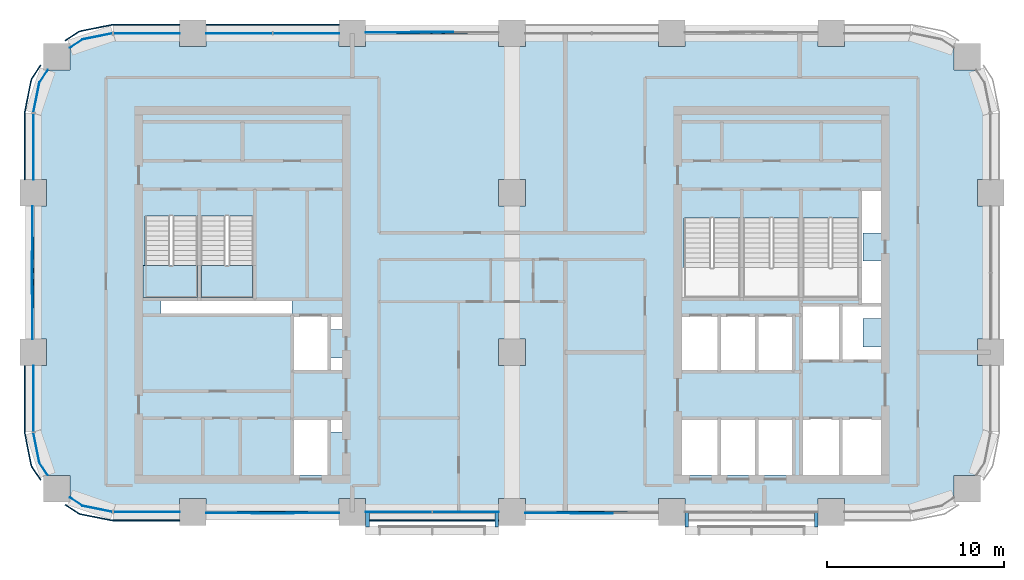
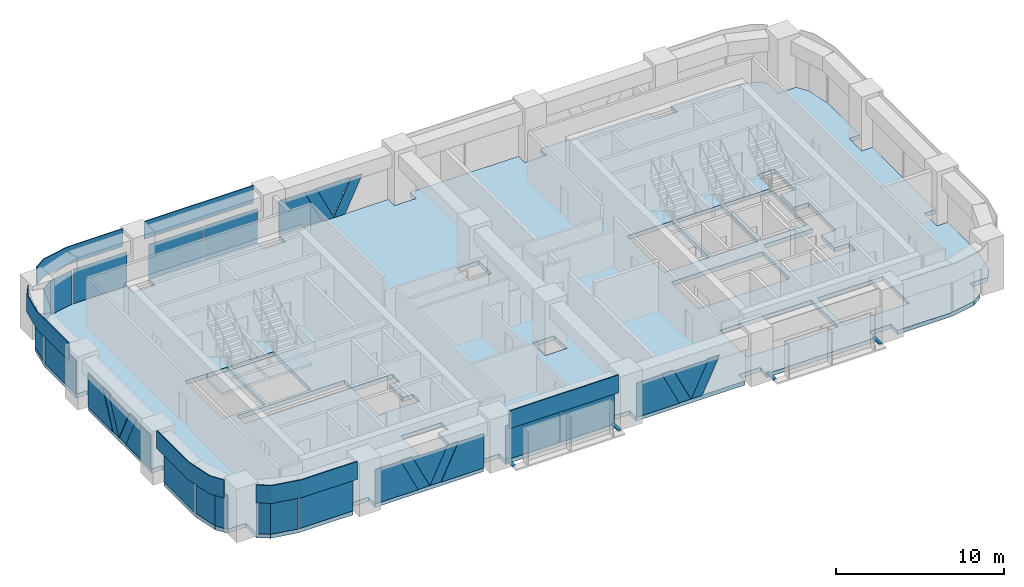
# One storey, part 6 of 13: 32 plates, 4 beams, 3 slabs, 12 elements without a shape of their own.
"""IFC4 building model written with IfcOpenShell, lengths in metres."""

import ifcopenshell
import ifcopenshell.guid

model = None  # the IFC model being written
_history = None  # IfcOwnerHistory: only IFC2X3 demands one
_inside = {}  # id of a spatial element -> (the spatial element, [elements in it])
_under = {}  # id of a project, library or spatial element -> (it, [spatial elements below it])
_declared = {}  # id of a project -> (the project, [libraries it declares])
_typed = {}  # id of a type object -> (the type object, [elements of that type])
_made_of = {}  # id of a material, layer set ... -> (it, [elements and type objects made of it])


def new_model(schema):
    """Start an empty IFC model of exactly this schema.

    Asked for "IFC4X3", IfcOpenShell would pick the latest addendum, in which some entities
    have other attributes; the version numbers below select the first issue.
    IFC2X3 requires an IfcOwnerHistory on every rooted entity: one is made here for all.
    """
    global model, _history
    if schema == "IFC4X3":
        model = ifcopenshell.file(schema_version=(4, 3, 0, 0))
    else:
        model = ifcopenshell.file(schema=schema)
    _inside.clear()
    _under.clear()
    _declared.clear()
    _typed.clear()
    _made_of.clear()
    _history = None
    if model.schema == "IFC2X3":
        org = make("IfcOrganization", Name="unknown")
        user = make(
            "IfcPersonAndOrganization",
            ThePerson=make("IfcPerson", FamilyName="unknown"),
            TheOrganization=org,
        )
        app = make(
            "IfcApplication",
            ApplicationDeveloper=org,
            Version="unknown",
            ApplicationFullName="unknown",
            ApplicationIdentifier="unknown",
        )
        _history = make(
            "IfcOwnerHistory",
            OwningUser=user,
            OwningApplication=app,
            ChangeAction="ADDED",
            CreationDate=0,
        )
    return model


def make(cls, **values):
    """One entity of the class cls with the attributes given. An attribute that is None is left unset."""
    return model.create_entity(
        cls, **{name: value for name, value in values.items() if value is not None}
    )


def rooted(cls, **values):
    """An entity with a GlobalId (a new one), such as an element, a storey or a relation."""
    return make(cls, GlobalId=ifcopenshell.guid.new(), OwnerHistory=_history, **values)


def si_unit(unit_type, name, prefix=None):
    """IfcSIUnit, for example si_unit("LENGTHUNIT", "METRE", prefix="MILLI")."""
    return make("IfcSIUnit", UnitType=unit_type, Prefix=prefix, Name=name)


def assignment(units):
    """IfcUnitAssignment: the units of a project."""
    return None if units is None else make("IfcUnitAssignment", Units=units)


def point(xyz):
    """IfcCartesianPoint."""
    return None if xyz is None else make("IfcCartesianPoint", Coordinates=xyz)


def direction(xyz):
    """IfcDirection."""
    return None if xyz is None else make("IfcDirection", DirectionRatios=xyz)


def frame(location, z_axis=None, x_axis=None):
    """IfcAxis2Placement3D, a coordinate frame: its origin and axes. An axis left out is left unset."""
    return make(
        "IfcAxis2Placement3D",
        Location=point(location),
        Axis=direction(z_axis),
        RefDirection=direction(x_axis),
    )


def frame_2d(location, x_axis=None):
    """IfcAxis2Placement2D, a coordinate frame in the plane: its origin and x axis."""
    return make(
        "IfcAxis2Placement2D", Location=point(location), RefDirection=direction(x_axis)
    )


def origin():
    """The frame at (0, 0, 0) with its axes left unset."""
    return frame((0.0, 0.0, 0.0))


def origin_2d():
    """The frame at (0, 0) in the plane with its x axis left unset."""
    return frame_2d((0.0, 0.0))


def place(relative_to, where):
    """IfcLocalPlacement: puts the frame where relative to a parent placement (None: the world)."""
    return make(
        "IfcLocalPlacement", PlacementRelTo=relative_to, RelativePlacement=where
    )


def context(
    kind, dimensions, precision=None, world=None, true_north=None, identifier=None
):
    """IfcGeometricRepresentationContext, for example the 3D "Model" context."""
    return make(
        "IfcGeometricRepresentationContext",
        ContextIdentifier=identifier,
        ContextType=kind,
        CoordinateSpaceDimension=dimensions,
        Precision=precision,
        WorldCoordinateSystem=world,
        TrueNorth=true_north,
    )


def subcontext(parent, identifier, kind, view, scale=None):
    """IfcGeometricRepresentationSubContext, for example "Body" below "Model"."""
    return make(
        "IfcGeometricRepresentationSubContext",
        ContextIdentifier=identifier,
        ContextType=kind,
        ParentContext=parent,
        TargetScale=scale,
        TargetView=view,
    )


def project(units=None, contexts=None):
    """IfcProject with its units and contexts."""
    return rooted(
        "IfcProject",
        Name="project",
        RepresentationContexts=contexts,
        UnitsInContext=assignment(units),
    )


def spatial(cls, under=None, at=None, **own):
    """A site, building, storey or space (cls), placed at a placement, below another one or the project."""
    s = rooted(cls, ObjectPlacement=at, **own)
    if under is not None:
        _under.setdefault(under.id(), (under, []))[1].append(s)
    return s


def polyline(points):
    """IfcPolyline through the points."""
    return make("IfcPolyline", Points=[point(p) for p in points])


def profile(cls, at=None, kind="AREA", **sizes):
    """A parametric profile (cls). Its sizes go by their IFC names, for example OverallWidth=200.0."""
    return make(cls, ProfileType=kind, Position=at, **sizes)


def rectangle(**sizes):
    """IfcRectangleProfileDef."""
    return profile("IfcRectangleProfileDef", **sizes)


def outline(outer, holes=None, kind="AREA"):
    """IfcArbitraryClosedProfileDef: a profile drawn as a closed curve; with holes, ...WithVoids."""
    if holes is None:
        return make("IfcArbitraryClosedProfileDef", ProfileType=kind, OuterCurve=outer)
    return make(
        "IfcArbitraryProfileDefWithVoids",
        ProfileType=kind,
        OuterCurve=outer,
        InnerCurves=holes,
    )


def extrude(swept, where, along, depth):
    """IfcExtrudedAreaSolid: the profile swept, set in the frame where, extruded along a direction by depth."""
    return make(
        "IfcExtrudedAreaSolid",
        SweptArea=swept,
        Position=where,
        ExtrudedDirection=direction(along),
        Depth=depth,
    )


def shape(context_of_items, identifier, shape_type, items):
    """IfcShapeRepresentation: the items that make up one representation, for example the "Body"."""
    return make(
        "IfcShapeRepresentation",
        ContextOfItems=context_of_items,
        RepresentationIdentifier=identifier,
        RepresentationType=shape_type,
        Items=items,
    )


def material(Name=None, Category=None):
    """IfcMaterial."""
    return make("IfcMaterial", Name=Name, Category=Category)


def layer(
    of_material, thickness, ventilated=None, Name=None, Category=None, Priority=None
):
    """IfcMaterialLayer: one layer of a wall or slab, of a material (None: an air gap)."""
    return make(
        "IfcMaterialLayer",
        Material=of_material,
        LayerThickness=thickness,
        IsVentilated=ventilated,
        Name=Name,
        Category=Category,
        Priority=Priority,
    )


def layer_set(layers, Name=None):
    """IfcMaterialLayerSet."""
    return make("IfcMaterialLayerSet", MaterialLayers=layers, LayerSetName=Name)


def material_profile(
    of_material, cross_section, Name=None, Category=None, Priority=None
):
    """IfcMaterialProfile: a cross section and its material."""
    return make(
        "IfcMaterialProfile",
        Name=Name,
        Material=of_material,
        Profile=cross_section,
        Priority=Priority,
        Category=Category,
    )


def profile_set(profiles, Name=None, composite=None):
    """IfcMaterialProfileSet."""
    return make(
        "IfcMaterialProfileSet",
        Name=Name,
        MaterialProfiles=profiles,
        CompositeProfile=composite,
    )


def made_of(thing, what):
    """Note that an element or type object is made of a material, layer set ...; save() writes the relation."""
    if what is not None:
        _made_of.setdefault(what.id(), (what, []))[1].append(thing)
    return thing


def type_object(cls, material=None, **own):
    """A type object (cls), such as IfcWallType, which elements share."""
    return made_of(rooted(cls, **own), material)


def element(
    cls,
    number,
    at=None,
    inside=None,
    cuts=None,
    type_object=None,
    material=None,
    context=None,
    identifier="Body",
    shape_type=None,
    held_by="IfcProductDefinitionShape",
    body=None,
    shapes=None,
    **own,
):
    """One element of the class cls, such as IfcWall. Its Tag is "e" and its number.

    at: its placement. inside: the storey or other place that contains it. cuts: it is an
    opening in that element (IfcRelVoidsElement). A single representation is given by context,
    identifier, shape_type and body (its items); several are given by shapes. held_by: the class
    of the entity that holds the representations. save() writes the other relations.
    """
    e = rooted(cls, Tag="e%d" % number, ObjectPlacement=at, **own)
    if body is not None:
        shapes = [shape(context, identifier, shape_type, body)]
    if shapes is not None:
        e.Representation = make(held_by, Representations=shapes)
    if inside is not None:
        _inside.setdefault(inside.id(), (inside, []))[1].append(e)
    if cuts is not None:
        rooted(
            "IfcRelVoidsElement", RelatingBuildingElement=cuts, RelatedOpeningElement=e
        )
    if type_object is not None:
        _typed.setdefault(type_object.id(), (type_object, []))[1].append(e)
    return made_of(e, material)


def aggregate(whole, parts):
    """IfcRelAggregates: a whole, such as a stair, and the parts it consists of."""
    return rooted("IfcRelAggregates", RelatingObject=whole, RelatedObjects=parts)


def save(model, path):
    """Write the relations noted so far, then the file.

    IfcRelAggregates (storeys below a building ...), IfcRelContainedInSpatialStructure (elements
    in a storey), IfcRelDefinesByType, IfcRelAssociatesMaterial and IfcRelDeclares: one each for
    every whole, place, type object, material and project.
    """
    for whole, parts in _under.values():
        aggregate(whole, parts)
    for where, things in _inside.values():
        rooted(
            "IfcRelContainedInSpatialStructure",
            RelatedElements=things,
            RelatingStructure=where,
        )
    for kind, things in _typed.values():
        rooted("IfcRelDefinesByType", RelatedObjects=things, RelatingType=kind)
    for what, things in _made_of.values():
        rooted("IfcRelAssociatesMaterial", RelatedObjects=things, RelatingMaterial=what)
    for by, libraries in _declared.values():
        rooted("IfcRelDeclares", RelatingContext=by, RelatedDefinitions=libraries)
    model.write(path)


model = new_model("IFC4")

# Units and contexts
model_context = context("Model", 3, precision=1e-05, world=origin(), true_north=direction((0.0, 1.0)))
body_context = subcontext(model_context, "Body", "Model", "MODEL_VIEW")
ifc_project = project(units=[si_unit("LENGTHUNIT", "METRE"), si_unit("AREAUNIT", "SQUARE_METRE"), si_unit("VOLUMEUNIT", "CUBIC_METRE"), si_unit("PLANEANGLEUNIT", "RADIAN"), si_unit("MASSUNIT", "GRAM", prefix="KILO")], contexts=[model_context])

# Site, building, storey
site_placement = place(None, origin())
site = spatial("IfcSite", under=ifc_project, at=site_placement, CompositionType="ELEMENT")
building_placement = place(site_placement, origin())
building = spatial("IfcBuilding", under=site, at=building_placement, Name="Tessera Arch", CompositionType="ELEMENT")
storey_placement = place(building_placement, frame((0.0, 0.0, 158.300048828125)))
storey = spatial("IfcBuildingStorey", under=building, at=storey_placement, Name="L37", CompositionType="ELEMENT", Elevation=158.300048828125)

# Beams
ifc_material_1 = material(Name="Aluminium alloy 6063-T6", Category="aluminium")
ifc_material_profile = material_profile(ifc_material_1, rectangle(XDim=0.199951171875, YDim=0.1201171875, at=origin_2d()), Name="AL 200x120")
ifc_profile_set = profile_set([ifc_material_profile], Name="Aluminium alloy 6063-T6")
beam_type = type_object("IfcBeamType", Name="Screen seat beam", PredefinedType="BEAM", material=ifc_profile_set)
for number, where, z_axis, x_axis, name in (
    (1, (18.84912109375, 27.0, 0.06005859375), (0.0, -1.0, 0.0), (1.0, 0.0, 0.0), "Screen seat beam"),
    (2, (26.15087890625, 27.0, 0.06005859375), (0.0, -1.0, 0.0), (1.0, 0.0, 0.0), "Screen seat beam"),
    (3, (36.84912109375, 27.0, 0.06005859375), (0.0, -1.0, 0.0), (1.0, 0.0, 0.0), "Screen seat beam"),
    (4, (44.15087890625, 27.0, 0.06005859375), (0.0, -1.0, 0.0), (1.0, 0.0, 0.0), "Screen seat beam"),
):
    element("IfcBeam", number, at=place(storey_placement, frame(where, z_axis=z_axis, x_axis=x_axis)), inside=storey, type_object=beam_type, Name=name, PredefinedType="BEAM", context=body_context, shape_type="SweptSolid", body=[
        extrude(rectangle(XDim=0.199951171875, YDim=0.1201171875, at=origin_2d()), origin(), (0.0, 0.0, 1.0), 0.85009765625),
    ])

# Curtain wall, plates
ifc_material_2 = material(Name="CW1 curtain wall")
curtain_wall_type_1 = type_object("IfcCurtainWallType", Name="CW1 curtain wall", PredefinedType="NOTDEFINED", material=ifc_material_2)
curtain_wall_1_placement = place(storey_placement, origin())
curtain_wall_1 = element("IfcCurtainWall", 5, at=curtain_wall_1_placement, inside=storey, type_object=curtain_wall_type_1, Name="CW1 curtain wall N54.0/4 L37", PredefinedType="NOTDEFINED")
ifc_material_3 = material(Name="Clear low-e glass", Category="glass")
ifc_material_4 = material(Name="Clear low-e glass", Category="glass")
ifc_layer_1 = layer(ifc_material_4, 0.028076171875)
ifc_layer_set_1 = layer_set([ifc_layer_1], Name="CW1 glass panel")
plate_type_1 = type_object("IfcPlateType", Name="CW1 glass panel", PredefinedType="CURTAIN_PANEL", material=ifc_layer_set_1)
plate_1_placement = place(storey_placement, frame((15.389892578125, 54.0, 0.0), z_axis=(0.0, 0.0, 1.0), x_axis=(-1.0, 0.0, 0.0)))
plate_1 = element("IfcPlate", 6, at=plate_1_placement, type_object=plate_type_1, material=ifc_material_3, Name="CW1 glass panel N54.0/4 1.1.1", PredefinedType="CURTAIN_PANEL", context=body_context, shape_type="SweptSolid", body=[
    extrude(rectangle(XDim=3.719970703125, YDim=0.028076171875, at=origin_2d()), origin(), (0.0, 0.0, 1.0), 2.5),
])
plate_2_placement = place(storey_placement, frame((11.610107421875, 54.0, 0.0), z_axis=(0.0, 0.0, 1.0), x_axis=(-1.0, 0.0, 0.0)))
plate_2 = element("IfcPlate", 7, at=plate_2_placement, type_object=plate_type_1, material=ifc_material_3, Name="CW1 glass panel N54.0/4 1.2.1", PredefinedType="CURTAIN_PANEL", context=body_context, shape_type="SweptSolid", body=[
    extrude(rectangle(XDim=3.719970703125, YDim=0.028076171875, at=origin_2d()), origin(), (0.0, 0.0, 1.0), 2.5),
])

curtain_wall_2_placement = place(storey_placement, origin())
curtain_wall_2 = element("IfcCurtainWall", 8, at=curtain_wall_2_placement, inside=storey, type_object=curtain_wall_type_1, Name="CW1 curtain wall S27.0/2 L37", PredefinedType="NOTDEFINED")
plate_3_placement = place(storey_placement, frame((20.610107421875, 27.0, 0.0), z_axis=(0.0, 0.0, 1.0), x_axis=(1.0, 0.0, 0.0)))
plate_3 = element("IfcPlate", 9, at=plate_3_placement, type_object=plate_type_1, material=ifc_material_3, Name="CW1 glass panel S27.0/2 1.1.1", PredefinedType="CURTAIN_PANEL", context=body_context, shape_type="SweptSolid", body=[
    extrude(rectangle(XDim=3.719970703125, YDim=0.028076171875, at=origin_2d()), origin(), (0.0, 0.0, 1.0), 2.5),
])
plate_4_placement = place(storey_placement, frame((24.389892578125, 27.0, 0.0), z_axis=(0.0, 0.0, 1.0), x_axis=(1.0, 0.0, 0.0)))
plate_4 = element("IfcPlate", 10, at=plate_4_placement, type_object=plate_type_1, material=ifc_material_3, Name="CW1 glass panel S27.0/2 1.2.1", PredefinedType="CURTAIN_PANEL", context=body_context, shape_type="SweptSolid", body=[
    extrude(rectangle(XDim=3.719970703125, YDim=0.028076171875, at=origin_2d()), origin(), (0.0, 0.0, 1.0), 2.5),
])

# Plate
ifc_material_5 = material(Name="Pale anodised aluminium panel", Category="aluminium")
ifc_layer_2 = layer(ifc_material_5, 0.06005859375)
ifc_layer_set_2 = layer_set([ifc_layer_2], Name="CW1 spandrel panel")
plate_type_2 = type_object("IfcPlateType", Name="CW1 spandrel panel", PredefinedType="CURTAIN_PANEL", material=ifc_layer_set_2)
plate_5_placement = place(storey_placement, frame((13.5, 54.47998046875, 2.60009765625), z_axis=(0.0, 0.0, 1.0), x_axis=(-1.0, 0.0, 0.0)))
plate_5 = element("IfcPlate", 11, at=plate_5_placement, type_object=plate_type_2, Name="CW1 spandrel panel N54.0/4", PredefinedType="CURTAIN_PANEL", context=body_context, shape_type="SweptSolid", body=[
    extrude(rectangle(XDim=7.5, YDim=0.06005859375, at=origin_2d()), origin(), (0.0, 0.0, 1.0), 1.300048828125),
])

aggregate(curtain_wall_1, [plate_1, plate_2, plate_5])

plate_6_placement = place(storey_placement, frame((22.5, 26.52001953125, 2.60009765625), z_axis=(0.0, 0.0, 1.0), x_axis=(1.0, 0.0, 0.0)))
plate_6 = element("IfcPlate", 12, at=plate_6_placement, type_object=plate_type_2, Name="CW1 spandrel panel S27.0/2", PredefinedType="CURTAIN_PANEL", context=body_context, shape_type="SweptSolid", body=[
    extrude(rectangle(XDim=7.5, YDim=0.06005859375, at=origin_2d()), origin(), (0.0, 0.0, 1.0), 1.300048828125),
])

aggregate(curtain_wall_2, [plate_3, plate_4, plate_6])

# Curtain wall, plates
ifc_material_6 = material(Name="CW2 curtain wall")
curtain_wall_type_2 = type_object("IfcCurtainWallType", Name="CW2 curtain wall", PredefinedType="NOTDEFINED", material=ifc_material_6)
curtain_wall_3_placement = place(storey_placement, origin())
curtain_wall_3 = element("IfcCurtainWall", 13, at=curtain_wall_3_placement, inside=storey, type_object=curtain_wall_type_2, Name="CW2 curtain wall N54.0/5 L37", PredefinedType="NOTDEFINED")
ifc_material_7 = material(Name="Clear low-e glass", Category="glass")
ifc_layer_3 = layer(ifc_material_7, 0.028076171875)
ifc_layer_set_3 = layer_set([ifc_layer_3], Name="CW2 glass panel")
plate_type_3 = type_object("IfcPlateType", Name="CW2 glass panel", PredefinedType="CURTAIN_PANEL", material=ifc_layer_set_3)
plate_7_placement = place(storey_placement, frame((6.39501953125, 54.0, 0.0), z_axis=(0.0, 0.0, 1.0), x_axis=(-1.0, 0.0, 0.0)))
plate_7 = element("IfcPlate", 14, at=plate_7_placement, type_object=plate_type_3, material=ifc_material_3, Name="CW2 glass panel N54.0/5 1.1", PredefinedType="CURTAIN_PANEL", context=body_context, shape_type="SweptSolid", body=[
    extrude(rectangle(XDim=3.7099609375, YDim=0.028076171875, at=origin_2d()), origin(), (0.0, 0.0, 1.0), 2.5),
])
plate_8_placement = place(storey_placement, origin())
plate_8 = element("IfcPlate", 15, at=plate_8_placement, type_object=plate_type_3, material=ifc_material_3, Name="CW2 curved glass panel N54.0/5 2.1", PredefinedType="CURTAIN_PANEL", context=body_context, shape_type="SweptSolid", body=[
    extrude(outline(polyline([(2.783447265625, 53.644287109375), (4.46337890625, 53.978515625), (4.4580078125, 54.005859375), (2.7724609375, 53.670654296875), (2.060302734375, 53.19482421875), (2.07568359375, 53.17138671875), (2.783447265625, 53.644287109375)])), origin(), (0.0, 0.0, 1.0), 2.5),
])

curtain_wall_4_placement = place(storey_placement, origin())
curtain_wall_4 = element("IfcCurtainWall", 16, at=curtain_wall_4_placement, inside=storey, type_object=curtain_wall_type_2, Name="CW2 curtain wall W0.27/0 L37", PredefinedType="NOTDEFINED")
plate_9_placement = place(storey_placement, frame((0.0, 47.60498046875, 0.0), z_axis=(0.0, 0.0, 1.0), x_axis=(0.0, -1.0, 0.0)))
plate_9 = element("IfcPlate", 17, at=plate_9_placement, type_object=plate_type_3, material=ifc_material_3, Name="CW2 glass panel W0.27/0 1.1", PredefinedType="CURTAIN_PANEL", context=body_context, shape_type="SweptSolid", body=[
    extrude(rectangle(XDim=3.7099609375, YDim=0.028076171875, at=origin_2d()), origin(), (0.0, 0.0, 1.0), 2.5),
])
plate_10_placement = place(storey_placement, origin())
plate_10 = element("IfcPlate", 18, at=plate_10_placement, type_object=plate_type_3, material=ifc_material_3, Name="CW2 curved glass panel W0.27/0 2.1", PredefinedType="CURTAIN_PANEL", context=body_context, shape_type="SweptSolid", body=[
    extrude(outline(polyline([(0.355712890625, 51.216552734375), (0.82861328125, 51.92431640625), (0.80517578125, 51.939697265625), (0.329345703125, 51.2275390625), (-0.005859375, 49.5419921875), (0.021484375, 49.53662109375), (0.355712890625, 51.216552734375)])), origin(), (0.0, 0.0, 1.0), 2.5),
])

curtain_wall_5_placement = place(storey_placement, origin())
curtain_wall_5 = element("IfcCurtainWall", 19, at=curtain_wall_5_placement, inside=storey, type_object=curtain_wall_type_2, Name="CW2 curtain wall W0.27/2 L37", PredefinedType="NOTDEFINED")
plate_11_placement = place(storey_placement, frame((0.0, 33.39501953125, 0.0), z_axis=(0.0, 0.0, 1.0), x_axis=(0.0, -1.0, 0.0)))
plate_11 = element("IfcPlate", 20, at=plate_11_placement, type_object=plate_type_3, material=ifc_material_3, Name="CW2 glass panel W0.27/2 1.1", PredefinedType="CURTAIN_PANEL", context=body_context, shape_type="SweptSolid", body=[
    extrude(rectangle(XDim=3.7099609375, YDim=0.028076171875, at=origin_2d()), origin(), (0.0, 0.0, 1.0), 2.5),
])
plate_12_placement = place(storey_placement, origin())
plate_12 = element("IfcPlate", 21, at=plate_12_placement, type_object=plate_type_3, material=ifc_material_3, Name="CW2 curved glass panel W0.27/2 2.1", PredefinedType="CURTAIN_PANEL", context=body_context, shape_type="SweptSolid", body=[
    extrude(outline(polyline([(0.355712890625, 29.783447265625), (0.021484375, 31.46337890625), (-0.005859375, 31.4580078125), (0.329345703125, 29.7724609375), (0.80517578125, 29.060302734375), (0.82861328125, 29.07568359375), (0.355712890625, 29.783447265625)])), origin(), (0.0, 0.0, 1.0), 2.5),
])

curtain_wall_6_placement = place(storey_placement, origin())
curtain_wall_6 = element("IfcCurtainWall", 22, at=curtain_wall_6_placement, inside=storey, type_object=curtain_wall_type_2, Name="CW2 curtain wall S27.0/0 L37", PredefinedType="NOTDEFINED")
plate_13_placement = place(storey_placement, frame((6.39501953125, 27.0, 0.0), z_axis=(0.0, 0.0, 1.0), x_axis=(1.0, 0.0, 0.0)))
plate_13 = element("IfcPlate", 23, at=plate_13_placement, type_object=plate_type_3, material=ifc_material_3, Name="CW2 glass panel S27.0/0 1.1", PredefinedType="CURTAIN_PANEL", context=body_context, shape_type="SweptSolid", body=[
    extrude(rectangle(XDim=3.7099609375, YDim=0.028076171875, at=origin_2d()), origin(), (0.0, 0.0, 1.0), 2.5),
])
plate_14_placement = place(storey_placement, origin())
plate_14 = element("IfcPlate", 24, at=plate_14_placement, type_object=plate_type_3, material=ifc_material_3, Name="CW2 curved glass panel S27.0/0 2.1", PredefinedType="CURTAIN_PANEL", context=body_context, shape_type="SweptSolid", body=[
    extrude(outline(polyline([(2.783447265625, 27.355712890625), (2.07568359375, 27.82861328125), (2.060302734375, 27.80517578125), (2.7724609375, 27.329345703125), (4.4580078125, 26.994140625), (4.46337890625, 27.021484375), (2.783447265625, 27.355712890625)])), origin(), (0.0, 0.0, 1.0), 2.5),
])

# Plate
ifc_material_8 = material(Name="Pale anodised aluminium panel", Category="aluminium")
ifc_layer_4 = layer(ifc_material_8, 0.06005859375)
ifc_layer_set_4 = layer_set([ifc_layer_4], Name="CW2 spandrel panel")
plate_type_4 = type_object("IfcPlateType", Name="CW2 spandrel panel", PredefinedType="CURTAIN_PANEL", material=ifc_layer_set_4)
plate_15_placement = place(storey_placement, frame((0.0, 0.0, 2.599853515625)))
plate_15 = element("IfcPlate", 25, at=plate_15_placement, type_object=plate_type_4, Name="CW2 spandrel panel N54.0/5", PredefinedType="CURTAIN_PANEL", context=body_context, shape_type="SweptSolid", body=[
    extrude(outline(polyline([(4.500732421875, 54.449951171875), (8.25, 54.449951171875), (8.25, 54.510009765625), (4.499267578125, 54.510009765625), (4.449951171875, 54.507568359375), (4.401123046875, 54.500244140625), (2.677734375, 54.157470703125), (2.6298828125, 54.1455078125), (2.582763671875, 54.128662109375), (2.537353515625, 54.107421875), (2.4951171875, 54.08203125), (1.78466796875, 53.607177734375), (1.81787109375, 53.55712890625), (2.52734375, 54.03125), (2.565673828125, 54.054443359375), (2.605712890625, 54.0732421875), (2.647216796875, 54.088134765625), (2.69091796875, 54.09912109375), (4.411376953125, 54.441162109375), (4.455810546875, 54.44775390625), (4.500732421875, 54.449951171875)])), origin(), (0.0, 0.0, 1.0), 1.300048828125),
])

aggregate(curtain_wall_3, [plate_7, plate_8, plate_15])

plate_16_placement = place(storey_placement, frame((0.0, 0.0, 2.599853515625)))
plate_16 = element("IfcPlate", 26, at=plate_16_placement, type_object=plate_type_4, Name="CW2 spandrel panel W0.27/0", PredefinedType="CURTAIN_PANEL", context=body_context, shape_type="SweptSolid", body=[
    extrude(outline(polyline([(-0.03125, 51.47265625), (0.44287109375, 52.18212890625), (0.392822265625, 52.21533203125), (-0.08203125, 51.5048828125), (-0.107421875, 51.462646484375), (-0.128662109375, 51.417236328125), (-0.1455078125, 51.3701171875), (-0.157470703125, 51.322265625), (-0.500244140625, 49.598876953125), (-0.507568359375, 49.550048828125), (-0.510009765625, 49.500732421875), (-0.510009765625, 45.75), (-0.449951171875, 45.75), (-0.449951171875, 49.499267578125), (-0.44775390625, 49.544189453125), (-0.441162109375, 49.588623046875), (-0.09912109375, 51.30908203125), (-0.088134765625, 51.352783203125), (-0.0732421875, 51.394287109375), (-0.054443359375, 51.434326171875), (-0.03125, 51.47265625)])), origin(), (0.0, 0.0, 1.0), 1.300048828125),
])

aggregate(curtain_wall_4, [plate_9, plate_10, plate_16])

plate_17_placement = place(storey_placement, frame((0.0, 0.0, 2.599853515625)))
plate_17 = element("IfcPlate", 27, at=plate_17_placement, type_object=plate_type_4, Name="CW2 spandrel panel W0.27/2", PredefinedType="CURTAIN_PANEL", context=body_context, shape_type="SweptSolid", body=[
    extrude(outline(polyline([(-0.449951171875, 31.500732421875), (-0.449951171875, 35.25), (-0.510009765625, 35.25), (-0.510009765625, 31.499267578125), (-0.507568359375, 31.449951171875), (-0.500244140625, 31.401123046875), (-0.157470703125, 29.677734375), (-0.1455078125, 29.6298828125), (-0.128662109375, 29.582763671875), (-0.107421875, 29.537353515625), (-0.08203125, 29.4951171875), (0.392822265625, 28.78466796875), (0.44287109375, 28.81787109375), (-0.03125, 29.52734375), (-0.054443359375, 29.565673828125), (-0.0732421875, 29.605712890625), (-0.088134765625, 29.647216796875), (-0.09912109375, 29.69091796875), (-0.441162109375, 31.411376953125), (-0.44775390625, 31.455810546875), (-0.449951171875, 31.500732421875)])), origin(), (0.0, 0.0, 1.0), 1.300048828125),
])

aggregate(curtain_wall_5, [plate_11, plate_12, plate_17])

plate_18_placement = place(storey_placement, frame((0.0, 0.0, 2.599853515625)))
plate_18 = element("IfcPlate", 28, at=plate_18_placement, type_object=plate_type_4, Name="CW2 spandrel panel S27.0/0", PredefinedType="CURTAIN_PANEL", context=body_context, shape_type="SweptSolid", body=[
    extrude(outline(polyline([(2.52734375, 26.96875), (1.81787109375, 27.44287109375), (1.78466796875, 27.392822265625), (2.4951171875, 26.91796875), (2.537353515625, 26.892578125), (2.582763671875, 26.871337890625), (2.6298828125, 26.8544921875), (2.677734375, 26.842529296875), (4.401123046875, 26.499755859375), (4.449951171875, 26.492431640625), (4.499267578125, 26.489990234375), (8.25, 26.489990234375), (8.25, 26.550048828125), (4.500732421875, 26.550048828125), (4.455810546875, 26.55224609375), (4.411376953125, 26.558837890625), (2.69091796875, 26.90087890625), (2.647216796875, 26.911865234375), (2.605712890625, 26.9267578125), (2.565673828125, 26.945556640625), (2.52734375, 26.96875)])), origin(), (0.0, 0.0, 1.0), 1.300048828125),
])

aggregate(curtain_wall_6, [plate_13, plate_14, plate_18])

# Curtain wall, plate
ifc_material_9 = material(Name="CW3 curtain wall")
curtain_wall_type_3 = type_object("IfcCurtainWallType", Name="CW3 curtain wall", PredefinedType="NOTDEFINED", material=ifc_material_9)
curtain_wall_7_placement = place(storey_placement, origin())
curtain_wall_7 = element("IfcCurtainWall", 29, at=curtain_wall_7_placement, inside=storey, type_object=curtain_wall_type_3, Name="CW3 curtain wall N54.0/3 L37", PredefinedType="NOTDEFINED")
ifc_material_10 = material(Name="Pale anodised aluminium panel", Category="aluminium")
ifc_layer_5 = layer(ifc_material_10, 0.06005859375)
ifc_layer_set_5 = layer_set([ifc_layer_5], Name="CW3 diagonal panel")
plate_type_5 = type_object("IfcPlateType", Name="CW3 diagonal panel", PredefinedType="CURTAIN_PANEL", material=ifc_layer_set_5)
plate_19_placement = place(storey_placement, frame((20.51318359375, 54.030029296875, 2.5), z_axis=(0.0, 1.0, 0.0), x_axis=(1.0, 0.0, 0.0)))
plate_19 = element("IfcPlate", 30, at=plate_19_placement, type_object=plate_type_5, Name="CW3 diagonal panel N54.0/3 1", PredefinedType="CURTAIN_PANEL", context=body_context, shape_type="SweptSolid", body=[
    extrude(outline(polyline([(0.0, 0.0), (0.800537109375, 0.0), (1.98681640625, 2.467529296875), (3.173095703125, 0.0), (3.9736328125, 0.0), (2.771728515625, 2.5), (1.201904296875, 2.5), (0.0, 0.0)])), origin(), (0.0, 0.0, -1.0), 0.06005859375),
])

curtain_wall_8_placement = place(storey_placement, origin())
curtain_wall_8 = element("IfcCurtainWall", 31, at=curtain_wall_8_placement, inside=storey, type_object=curtain_wall_type_3, Name="CW3 curtain wall W0.27/1 L37", PredefinedType="NOTDEFINED")
plate_20_placement = place(storey_placement, frame((-0.030029296875, 38.51318359375, 2.5), z_axis=(-1.0, 0.0, 0.0), x_axis=(0.0, 1.0, 0.0)))
plate_20 = element("IfcPlate", 32, at=plate_20_placement, type_object=plate_type_5, Name="CW3 diagonal panel W0.27/1 1", PredefinedType="CURTAIN_PANEL", context=body_context, shape_type="SweptSolid", body=[
    extrude(outline(polyline([(0.0, 0.0), (0.800537109375, 0.0), (1.98681640625, 2.467529296875), (3.173095703125, 0.0), (3.9736328125, 0.0), (2.771728515625, 2.5), (1.201904296875, 2.5), (0.0, 0.0)])), origin(), (0.0, 0.0, -1.0), 0.06005859375),
])

curtain_wall_9_placement = place(storey_placement, origin())
curtain_wall_9 = element("IfcCurtainWall", 33, at=curtain_wall_9_placement, inside=storey, type_object=curtain_wall_type_3, Name="CW3 curtain wall S27.0/1 L37", PredefinedType="NOTDEFINED")
plate_21_placement = place(storey_placement, frame((15.48681640625, 26.969970703125, 2.5), z_axis=(0.0, -1.0, 0.0), x_axis=(-1.0, 0.0, 0.0)))
plate_21 = element("IfcPlate", 34, at=plate_21_placement, type_object=plate_type_5, Name="CW3 diagonal panel S27.0/1 1", PredefinedType="CURTAIN_PANEL", context=body_context, shape_type="SweptSolid", body=[
    extrude(outline(polyline([(0.0, 0.0), (0.800537109375, 0.0), (1.98681640625, 2.467529296875), (3.173095703125, 0.0), (3.9736328125, 0.0), (2.771728515625, 2.5), (1.201904296875, 2.5), (0.0, 0.0)])), origin(), (0.0, 0.0, -1.0), 0.06005859375),
])

curtain_wall_10_placement = place(storey_placement, origin())
curtain_wall_10 = element("IfcCurtainWall", 35, at=curtain_wall_10_placement, inside=storey, type_object=curtain_wall_type_3, Name="CW3 curtain wall S27.0/3 L37", PredefinedType="NOTDEFINED")
plate_22_placement = place(storey_placement, frame((33.48681640625, 26.969970703125, 2.5), z_axis=(0.0, -1.0, 0.0), x_axis=(-1.0, 0.0, 0.0)))
plate_22 = element("IfcPlate", 36, at=plate_22_placement, type_object=plate_type_5, Name="CW3 diagonal panel S27.0/3 1", PredefinedType="CURTAIN_PANEL", context=body_context, shape_type="SweptSolid", body=[
    extrude(outline(polyline([(0.0, 0.0), (0.800537109375, 0.0), (1.98681640625, 2.467529296875), (3.173095703125, 0.0), (3.9736328125, 0.0), (2.771728515625, 2.5), (1.201904296875, 2.5), (0.0, 0.0)])), origin(), (0.0, 0.0, -1.0), 0.06005859375),
])

# Plate
ifc_material_11 = material(Name="Clear low-e glass", Category="glass")
ifc_layer_6 = layer(ifc_material_11, 0.028076171875)
ifc_layer_set_6 = layer_set([ifc_layer_6], Name="CW3 glass panel")
plate_type_6 = type_object("IfcPlateType", Name="CW3 glass panel", PredefinedType="CURTAIN_PANEL", material=ifc_layer_set_6)
plate_23_placement = place(storey_placement, frame((21.313720703125, 54.0859375, 2.5), z_axis=(0.0, 1.0, 0.0), x_axis=(1.0, 0.0, 0.0)))
plate_23 = element("IfcPlate", 37, at=plate_23_placement, type_object=plate_type_6, material=ifc_material_3, Name="CW3 triangulated glass panel N54.0/3 2", PredefinedType="CURTAIN_PANEL", context=body_context, shape_type="SweptSolid", body=[
    extrude(outline(polyline([(0.0, 0.0), (2.37255859375, 0.0), (1.186279296875, 2.467529296875), (0.0, 0.0)])), origin(), (0.0, 0.0, -1.0), 0.028076171875),
])

plate_24_placement = place(storey_placement, frame((18.75, 54.05810546875, 2.5), z_axis=(0.0, 1.0, 0.0), x_axis=(1.0, 0.0, 0.0)))
plate_24 = element("IfcPlate", 38, at=plate_24_placement, type_object=plate_type_6, material=ifc_material_3, Name="CW3 triangulated glass panel N54.0/3 3", PredefinedType="CURTAIN_PANEL", context=body_context, shape_type="SweptSolid", body=[
    extrude(outline(polyline([(0.0, 0.0), (1.76318359375, 0.0), (2.965087890625, 2.5), (0.0, 2.5), (0.0, 0.0)])), origin(), (0.0, 0.0, -1.0), 0.028076171875),
])

aggregate(curtain_wall_7, [plate_23, plate_24, plate_19])

plate_25_placement = place(storey_placement, frame((-0.05810546875, 44.25, 0.0), z_axis=(-1.0, 0.0, 0.0), x_axis=(0.0, -1.0, 0.0)))
plate_25 = element("IfcPlate", 39, at=plate_25_placement, type_object=plate_type_6, material=ifc_material_3, Name="CW3 triangulated glass panel W0.27/1 1", PredefinedType="CURTAIN_PANEL", context=body_context, shape_type="SweptSolid", body=[
    extrude(outline(polyline([(0.0, 0.0), (2.965087890625, 0.0), (1.76318359375, 2.5), (0.0, 2.5), (0.0, 0.0)])), origin(), (0.0, 0.0, -1.0), 0.028076171875),
])

plate_26_placement = place(storey_placement, frame((-0.0859375, 39.313720703125, 2.5), z_axis=(-1.0, 0.0, 0.0), x_axis=(0.0, 1.0, 0.0)))
plate_26 = element("IfcPlate", 40, at=plate_26_placement, type_object=plate_type_6, material=ifc_material_3, Name="CW3 triangulated glass panel W0.27/1 2", PredefinedType="CURTAIN_PANEL", context=body_context, shape_type="SweptSolid", body=[
    extrude(outline(polyline([(0.0, 0.0), (2.37255859375, 0.0), (1.186279296875, 2.467529296875), (0.0, 0.0)])), origin(), (0.0, 0.0, -1.0), 0.028076171875),
])

plate_27_placement = place(storey_placement, frame((-0.05810546875, 36.75, 2.5), z_axis=(-1.0, 0.0, 0.0), x_axis=(0.0, 1.0, 0.0)))
plate_27 = element("IfcPlate", 41, at=plate_27_placement, type_object=plate_type_6, material=ifc_material_3, Name="CW3 triangulated glass panel W0.27/1 3", PredefinedType="CURTAIN_PANEL", context=body_context, shape_type="SweptSolid", body=[
    extrude(outline(polyline([(0.0, 0.0), (1.76318359375, 0.0), (2.965087890625, 2.5), (0.0, 2.5), (0.0, 0.0)])), origin(), (0.0, 0.0, -1.0), 0.028076171875),
])

aggregate(curtain_wall_8, [plate_25, plate_26, plate_27, plate_20])

plate_28_placement = place(storey_placement, frame((9.75, 26.94189453125, 0.0), z_axis=(0.0, -1.0, 0.0), x_axis=(1.0, 0.0, 0.0)))
plate_28 = element("IfcPlate", 42, at=plate_28_placement, type_object=plate_type_6, material=ifc_material_3, Name="CW3 triangulated glass panel S27.0/1 1", PredefinedType="CURTAIN_PANEL", context=body_context, shape_type="SweptSolid", body=[
    extrude(outline(polyline([(0.0, 0.0), (2.965087890625, 0.0), (1.76318359375, 2.5), (0.0, 2.5), (0.0, 0.0)])), origin(), (0.0, 0.0, -1.0), 0.028076171875),
])

plate_29_placement = place(storey_placement, frame((14.686279296875, 26.9140625, 2.5), z_axis=(0.0, -1.0, 0.0), x_axis=(-1.0, 0.0, 0.0)))
plate_29 = element("IfcPlate", 43, at=plate_29_placement, type_object=plate_type_6, material=ifc_material_3, Name="CW3 triangulated glass panel S27.0/1 2", PredefinedType="CURTAIN_PANEL", context=body_context, shape_type="SweptSolid", body=[
    extrude(outline(polyline([(0.0, 0.0), (2.37255859375, 0.0), (1.186279296875, 2.467529296875), (0.0, 0.0)])), origin(), (0.0, 0.0, -1.0), 0.028076171875),
])

plate_30_placement = place(storey_placement, frame((17.25, 26.94189453125, 2.5), z_axis=(0.0, -1.0, 0.0), x_axis=(-1.0, 0.0, 0.0)))
plate_30 = element("IfcPlate", 44, at=plate_30_placement, type_object=plate_type_6, material=ifc_material_3, Name="CW3 triangulated glass panel S27.0/1 3", PredefinedType="CURTAIN_PANEL", context=body_context, shape_type="SweptSolid", body=[
    extrude(outline(polyline([(0.0, 0.0), (1.76318359375, 0.0), (2.965087890625, 2.5), (0.0, 2.5), (0.0, 0.0)])), origin(), (0.0, 0.0, -1.0), 0.028076171875),
])

aggregate(curtain_wall_9, [plate_28, plate_29, plate_30, plate_21])

plate_31_placement = place(storey_placement, frame((27.75, 26.94189453125, 0.0), z_axis=(0.0, -1.0, 0.0), x_axis=(1.0, 0.0, 0.0)))
plate_31 = element("IfcPlate", 45, at=plate_31_placement, type_object=plate_type_6, material=ifc_material_3, Name="CW3 triangulated glass panel S27.0/3 1", PredefinedType="CURTAIN_PANEL", context=body_context, shape_type="SweptSolid", body=[
    extrude(outline(polyline([(0.0, 0.0), (2.965087890625, 0.0), (1.76318359375, 2.5), (0.0, 2.5), (0.0, 0.0)])), origin(), (0.0, 0.0, -1.0), 0.028076171875),
])

plate_32_placement = place(storey_placement, frame((32.686279296875, 26.9140625, 2.5), z_axis=(0.0, -1.0, 0.0), x_axis=(-1.0, 0.0, 0.0)))
plate_32 = element("IfcPlate", 46, at=plate_32_placement, type_object=plate_type_6, material=ifc_material_3, Name="CW3 triangulated glass panel S27.0/3 2", PredefinedType="CURTAIN_PANEL", context=body_context, shape_type="SweptSolid", body=[
    extrude(outline(polyline([(0.0, 0.0), (2.37255859375, 0.0), (1.186279296875, 2.467529296875), (0.0, 0.0)])), origin(), (0.0, 0.0, -1.0), 0.028076171875),
])

aggregate(curtain_wall_10, [plate_31, plate_32, plate_22])

# Slab
ifc_material_12 = material(Name="Concrete C40/50", Category="concrete")
ifc_layer_7 = layer(ifc_material_12, 0.300048828125)
ifc_layer_set_7 = layer_set([ifc_layer_7], Name="Floor slab 300 Concrete C40/50")
slab_type_1 = type_object("IfcSlabType", Name="Floor slab 300 Concrete C40/50", PredefinedType="FLOOR", material=ifc_layer_set_7)
slab_1_placement = place(storey_placement, frame((0.0, 0.0, -0.300048828125)))
element("IfcSlab", 47, at=slab_1_placement, inside=storey, type_object=slab_type_1, Name="Floor slab L37 1", PredefinedType="FLOOR", context=body_context, shape_type="SweptSolid", body=[
    extrude(outline(polyline([(54.0, 31.5), (53.657470703125, 29.77783203125), (53.18310546875, 29.068115234375), (51.931884765625, 29.068115234375), (51.931884765625, 27.81689453125), (51.22216796875, 27.342529296875), (49.5, 27.0), (45.75, 27.0), (45.75, 27.75), (44.25, 27.75), (44.25, 27.0), (36.75, 27.0), (36.75, 27.75), (35.25, 27.75), (35.25, 27.0), (27.75, 27.0), (27.75, 27.75), (26.25, 27.75), (26.25, 27.0), (18.75, 27.0), (18.75, 27.75), (17.25, 27.75), (17.25, 27.0), (9.75, 27.0), (9.75, 27.75), (8.25, 27.75), (8.25, 27.0), (4.5, 27.0), (2.77783203125, 27.342529296875), (2.068115234375, 27.81689453125), (2.068115234375, 29.068115234375), (0.81689453125, 29.068115234375), (0.342529296875, 29.77783203125), (0.0, 31.5), (0.0, 35.25), (0.75, 35.25), (0.75, 36.75), (0.0, 36.75), (0.0, 44.25), (0.75, 44.25), (0.75, 45.75), (0.0, 45.75), (0.0, 49.5), (0.342529296875, 51.22216796875), (0.81689453125, 51.931884765625), (2.068115234375, 51.931884765625), (2.068115234375, 53.18310546875), (2.77783203125, 53.657470703125), (4.5, 54.0), (8.25, 54.0), (8.25, 53.25), (9.75, 53.25), (9.75, 54.0), (17.25, 54.0), (17.25, 53.25), (18.75, 53.25), (18.75, 54.0), (26.25, 54.0), (26.25, 53.25), (27.75, 53.25), (27.75, 54.0), (35.25, 54.0), (35.25, 53.25), (36.75, 53.25), (36.75, 54.0), (44.25, 54.0), (44.25, 53.25), (45.75, 53.25), (45.75, 54.0), (49.5, 54.0), (51.22216796875, 53.657470703125), (51.931884765625, 53.18310546875), (51.931884765625, 51.931884765625), (53.18310546875, 51.931884765625), (53.657470703125, 51.22216796875), (54.0, 49.5), (54.0, 45.75), (53.25, 45.75), (53.25, 44.25), (54.0, 44.25), (54.0, 36.75), (53.25, 36.75), (53.25, 35.25), (54.0, 35.25), (54.0, 31.5)]), holes=[polyline([(14.60009765625, 29.10009765625), (16.699951171875, 29.10009765625), (16.699951171875, 31.5), (17.39990234375, 31.5), (17.39990234375, 32.300048828125), (16.699951171875, 32.300048828125), (14.60009765625, 32.300048828125), (14.60009765625, 29.10009765625)]), polyline([(26.25, 36.75), (26.25, 35.25), (27.75, 35.25), (27.75, 36.75), (26.25, 36.75)]), polyline([(17.39990234375, 37.300048828125), (17.39990234375, 38.10009765625), (16.699951171875, 38.10009765625), (14.60498046875, 38.10009765625), (14.60498046875, 38.10498046875), (14.60009765625, 38.10498046875), (14.60009765625, 39.0), (7.199951171875, 39.0), (7.199951171875, 38.10009765625), (14.594970703125, 38.10009765625), (14.594970703125, 38.094970703125), (14.60009765625, 38.094970703125), (14.60009765625, 34.89990234375), (16.699951171875, 34.89990234375), (17.39990234375, 34.89990234375), (17.39990234375, 35.699951171875), (16.699951171875, 35.699951171875), (16.699951171875, 37.300048828125), (17.39990234375, 37.300048828125)]), polyline([(6.300048828125, 43.68994140625), (6.300048828125, 39.199951171875), (9.25, 39.199951171875), (9.25, 43.68994140625), (7.85009765625, 43.68994140625), (7.85009765625, 43.699951171875), (7.699951171875, 43.699951171875), (7.699951171875, 43.68994140625), (6.300048828125, 43.68994140625)]), polyline([(9.449951171875, 39.199951171875), (12.39990234375, 39.199951171875), (12.39990234375, 43.68994140625), (11.0, 43.68994140625), (11.0, 43.699951171875), (10.85009765625, 43.699951171875), (10.85009765625, 43.68994140625), (9.449951171875, 43.68994140625), (9.449951171875, 39.199951171875)]), polyline([(38.699951171875, 29.10009765625), (40.800048828125, 29.10009765625), (42.89990234375, 29.10009765625), (42.89990234375, 32.300048828125), (40.800048828125, 32.300048828125), (38.699951171875, 32.300048828125), (36.60009765625, 32.300048828125), (36.60009765625, 29.10009765625), (38.699951171875, 29.10009765625)]), polyline([(45.550048828125, 32.300048828125), (43.300048828125, 32.300048828125), (43.300048828125, 29.10009765625), (45.550048828125, 29.10009765625), (47.800048828125, 29.10009765625), (47.800048828125, 32.300048828125), (45.550048828125, 32.300048828125)]), polyline([(40.800048828125, 34.89990234375), (42.89990234375, 34.89990234375), (42.89990234375, 38.10009765625), (40.800048828125, 38.10009765625), (38.699951171875, 38.10009765625), (36.60009765625, 38.10009765625), (36.60009765625, 34.89990234375), (38.699951171875, 34.89990234375), (40.800048828125, 34.89990234375)]), polyline([(47.800048828125, 42.75), (47.800048828125, 45.199951171875), (46.64990234375, 45.199951171875), (46.64990234375, 38.699951171875), (45.550048828125, 38.699951171875), (43.300048828125, 38.699951171875), (43.300048828125, 35.5), (45.550048828125, 35.5), (47.800048828125, 35.5), (47.800048828125, 36.300048828125), (46.800048828125, 36.300048828125), (46.800048828125, 37.89990234375), (47.800048828125, 37.89990234375), (47.800048828125, 38.699951171875), (47.800048828125, 41.14990234375), (46.800048828125, 41.14990234375), (46.800048828125, 42.75), (47.800048828125, 42.75)]), polyline([(36.699951171875, 39.199951171875), (39.85009765625, 39.199951171875), (39.85009765625, 43.570068359375), (38.330078125, 43.570068359375), (38.330078125, 43.580078125), (38.219970703125, 43.580078125), (38.219970703125, 43.570068359375), (36.699951171875, 43.570068359375), (36.699951171875, 39.199951171875)]), polyline([(40.050048828125, 39.199951171875), (43.199951171875, 39.199951171875), (43.199951171875, 43.570068359375), (41.679931640625, 43.570068359375), (41.679931640625, 43.580078125), (41.570068359375, 43.580078125), (41.570068359375, 43.570068359375), (40.050048828125, 43.570068359375), (40.050048828125, 39.199951171875)]), polyline([(43.39990234375, 43.570068359375), (43.39990234375, 39.199951171875), (46.550048828125, 39.199951171875), (46.550048828125, 43.570068359375), (45.030029296875, 43.570068359375), (45.030029296875, 43.580078125), (44.919921875, 43.580078125), (44.919921875, 43.570068359375), (43.39990234375, 43.570068359375)]), polyline([(26.25, 45.75), (26.25, 44.25), (27.75, 44.25), (27.75, 45.75), (26.25, 45.75)])]), origin(), (0.0, 0.0, 1.0), 0.300048828125),
])

# Stair, slab
ifc_material_13 = material(Name="Concrete C40/50", Category="concrete")
stair_type = type_object("IfcStairType", Name="Dogleg stair 1400", PredefinedType="HALF_TURN_STAIR", material=ifc_material_13)
stair_1_placement = place(storey_placement, origin())
stair_1 = element("IfcStair", 48, at=stair_1_placement, inside=storey, type_object=stair_type, Name="L37 S2a", PredefinedType="HALF_TURN_STAIR")
ifc_material_14 = material(Name="Concrete C40/50", Category="concrete")
ifc_layer_8 = layer(ifc_material_14, 0.300048828125)
ifc_layer_set_8 = layer_set([ifc_layer_8], Name="Stair landing 300")
slab_type_2 = type_object("IfcSlabType", Name="Stair landing 300", PredefinedType="LANDING", material=ifc_layer_set_8)
slab_2_placement = place(storey_placement, frame((0.0, 0.0, 1.75)))
slab_2 = element("IfcSlab", 49, at=slab_2_placement, type_object=slab_type_2, Name="S2a landing 1", PredefinedType="LANDING", context=body_context, shape_type="SweptSolid", body=[
    extrude(outline(polyline([(6.199951171875, 40.89990234375), (6.199951171875, 39.10009765625), (9.25, 39.10009765625), (9.25, 40.89990234375), (6.199951171875, 40.89990234375)])), origin(), (0.0, 0.0, 1.0), 0.199951171875),
])
aggregate(stair_1, [slab_2])

stair_2_placement = place(storey_placement, origin())
stair_2 = element("IfcStair", 50, at=stair_2_placement, inside=storey, type_object=stair_type, Name="L37 S2b", PredefinedType="HALF_TURN_STAIR")
slab_3_placement = place(storey_placement, frame((0.0, 0.0, 1.75)))
slab_3 = element("IfcSlab", 51, at=slab_3_placement, type_object=slab_type_2, Name="S2b landing 1", PredefinedType="LANDING", context=body_context, shape_type="SweptSolid", body=[
    extrude(outline(polyline([(9.449951171875, 40.89990234375), (9.449951171875, 39.10009765625), (12.39990234375, 39.10009765625), (12.39990234375, 40.89990234375), (9.449951171875, 40.89990234375)])), origin(), (0.0, 0.0, 1.0), 0.199951171875),
])
aggregate(stair_2, [slab_3])

save(model, "model.ifc")
